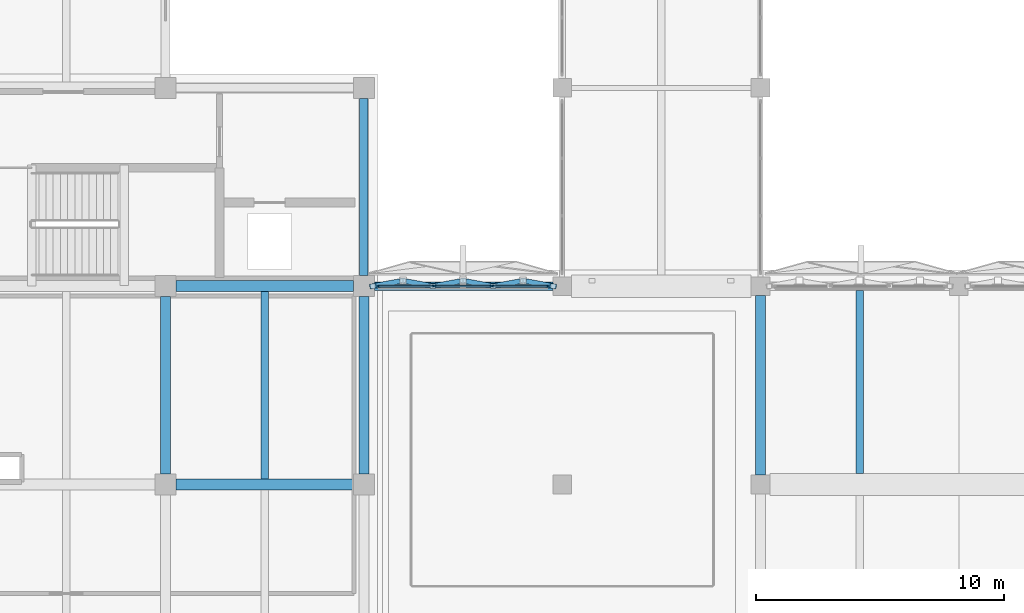
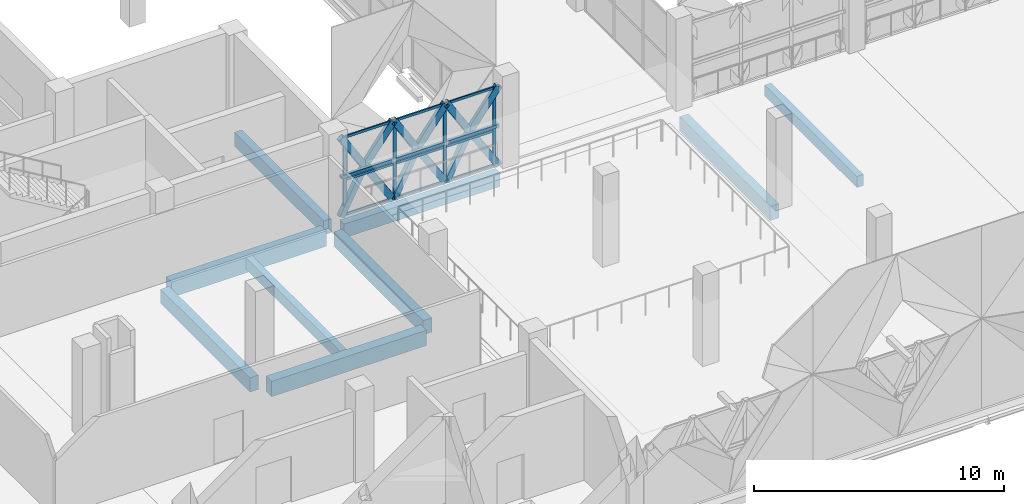
# One storey, part 7 of 53: 28 members, 9 beams, 1 element without a shape of its own.
"""IFC4 building model written with IfcOpenShell, lengths in metres."""

from ifc_helpers import new_model, si_unit, direction, frame, origin, origin_2d, place, context, subcontext, project, spatial, rectangle, hollow_rectangle, extrude, material, layer, layer_set, material_profile, profile_set, type_object, element, aggregate, save


model = new_model("IFC4")

# Units and contexts
model_context = context("Model", 3, precision=1e-05, world=origin(), true_north=direction((0.0, 1.0)))
body_context = subcontext(model_context, "Body", "Model", "MODEL_VIEW")
ifc_project = project(units=[si_unit("LENGTHUNIT", "METRE"), si_unit("AREAUNIT", "SQUARE_METRE"), si_unit("VOLUMEUNIT", "CUBIC_METRE"), si_unit("PLANEANGLEUNIT", "RADIAN"), si_unit("MASSUNIT", "GRAM", prefix="KILO")], contexts=[model_context])

# Site, building, storey
site_placement = place(None, origin())
site = spatial("IfcSite", under=ifc_project, at=site_placement, CompositionType="ELEMENT")
building_placement = place(site_placement, origin())
building = spatial("IfcBuilding", under=site, at=building_placement, Name="Qorikala Patio Media Centre", CompositionType="ELEMENT")
storey_placement = place(building_placement, frame((0.0, 0.0, 5.39990234375)))
storey = spatial("IfcBuildingStorey", under=building, at=storey_placement, Name="L01", CompositionType="ELEMENT", Elevation=5.39990234375)

# Beams
ifc_material_1 = material(Name="Concrete C35/45", Category="concrete")
ifc_material_profile_1 = material_profile(ifc_material_1, rectangle(XDim=0.39990234375, YDim=0.699951171875, at=origin_2d()), Name="RC 400x700")
ifc_profile_set_1 = profile_set([ifc_material_profile_1], Name="Concrete C35/45")
beam_type_1 = type_object("IfcBeamType", Name="BM-G400X700", PredefinedType="BEAM", material=ifc_profile_set_1)
for number, where, z_axis, x_axis, name in (
    (1, (35.0, 19.425048828125, -0.64990234375), (0.0, 1.0, 0.0), (-1.0, 0.0, 0.0), "L01 Grid X=35 Beam 0584"),
    (2, (43.0, 19.425048828125, -0.64990234375), (0.0, 1.0, 0.0), (-1.0, 0.0, 0.0), "L01 Grid X=43 Beam 0592"),
):
    element("IfcBeam", number, at=place(storey_placement, frame(where, z_axis=z_axis, x_axis=x_axis)), inside=storey, type_object=beam_type_1, Name=name, PredefinedType="BEAM", context=body_context, shape_type="SweptSolid", body=[
        extrude(rectangle(XDim=0.39990234375, YDim=0.699951171875, at=origin_2d()), origin(), (0.0, 0.0, 1.0), 7.14990234375),
    ])
beam_1_placement = place(storey_placement, frame((59.0, 19.375, -0.64990234375), z_axis=(0.0, 1.0, 0.0), x_axis=(-1.0, 0.0, 0.0)))
element("IfcBeam", 3, at=beam_1_placement, inside=storey, type_object=beam_type_1, Name="L01 Grid X=59 Beam 0607", PredefinedType="BEAM", context=body_context, shape_type="SweptSolid", body=[
    extrude(rectangle(XDim=0.39990234375, YDim=0.699951171875, at=origin_2d()), origin(), (0.0, 0.0, 1.0), 7.25),
])
ifc_material_profile_2 = material_profile(ifc_material_1, rectangle(XDim=0.449951171875, YDim=0.75, at=origin_2d()), Name="RC 450x750")
ifc_profile_set_2 = profile_set([ifc_material_profile_2], Name="Concrete C35/45")
beam_type_2 = type_object("IfcBeamType", Name="BM-G450X750", PredefinedType="BEAM", material=ifc_profile_set_2)
for number, where, z_axis, x_axis, name in (
    (4, (35.425048828125, 19.0, -0.6748046875), (1.0, 0.0, 0.0), (0.0, 1.0, 0.0), "L01 Grid 19 Beam 0443"),
    (5, (35.425048828125, 27.0, -0.6748046875), (1.0, 0.0, 0.0), (0.0, 1.0, 0.0), "L01 Grid 27 Beam 0461"),
):
    element("IfcBeam", number, at=place(storey_placement, frame(where, z_axis=z_axis, x_axis=x_axis)), inside=storey, type_object=beam_type_2, Name=name, PredefinedType="BEAM", context=body_context, shape_type="SweptSolid", body=[
        extrude(rectangle(XDim=0.449951171875, YDim=0.75, at=origin_2d()), origin(), (0.0, 0.0, 1.0), 7.14990234375),
    ])

# Members
ifc_material_2 = material(Name="Golden Bronze Coated Steel S355", Category="steel")
ifc_material_profile_3 = material_profile(ifc_material_2, hollow_rectangle(XDim=0.139892578125, YDim=0.139892578125, WallThickness=0.006103515625, at=origin_2d()), Name="HSS140X140X6")
ifc_profile_set_3 = profile_set([ifc_material_profile_3], Name="Golden Bronze Coated Steel S355")
member_type_1 = type_object("IfcMemberType", Name="BRACE-DIA140", PredefinedType="BRACE", material=ifc_profile_set_3)
member_1_placement = place(storey_placement, frame((43.360107421875, 27.0, 1.925048828125), z_axis=(1.0, 0.0, 0.0), x_axis=(0.0, 1.0, 0.0)))
element("IfcMember", 6, at=member_1_placement, inside=storey, type_object=member_type_1, Name="L01 Diamond Fold Tie 001", PredefinedType="BRACE", context=body_context, shape_type="SweptSolid", body=[
    extrude(hollow_rectangle(XDim=0.139892578125, YDim=0.139892578125, WallThickness=0.006103515625, at=origin_2d()), origin(), (0.0, 0.0, 1.0), 2.426513671875),
])
member_2_placement = place(storey_placement, frame((45.78662109375, 27.0, 1.925048828125), z_axis=(1.0, 0.0, 0.0), x_axis=(0.0, 1.0, 0.0)))
element("IfcMember", 7, at=member_2_placement, inside=storey, type_object=member_type_1, Name="L01 Diamond Fold Tie 002", PredefinedType="BRACE", context=body_context, shape_type="SweptSolid", body=[
    extrude(hollow_rectangle(XDim=0.139892578125, YDim=0.139892578125, WallThickness=0.006103515625, at=origin_2d()), origin(), (0.0, 0.0, 1.0), 2.4267578125),
])
member_3_placement = place(storey_placement, frame((48.21337890625, 27.0, 1.925048828125), z_axis=(1.0, 0.0, 0.0), x_axis=(0.0, 1.0, 0.0)))
element("IfcMember", 8, at=member_3_placement, inside=storey, type_object=member_type_1, Name="L01 Diamond Fold Tie 003", PredefinedType="BRACE", context=body_context, shape_type="SweptSolid", body=[
    extrude(hollow_rectangle(XDim=0.139892578125, YDim=0.139892578125, WallThickness=0.006103515625, at=origin_2d()), origin(), (0.0, 0.0, 1.0), 2.426513671875),
])

# Curtain wall, members
ifc_material_3 = material(Name="Golden Bronze Anodised Aluminium and Low-E Glass", Category="aluminium")
ifc_layer = layer(ifc_material_3, 0.159912109375)
ifc_layer_set = layer_set([ifc_layer], Name="Golden Bronze Anodised Aluminium and Low-E Glass")
curtain_wall_type = type_object("IfcCurtainWallType", Name="CW-DIA-696X385", PredefinedType="USERDEFINED", material=ifc_layer_set)
curtain_wall_placement = place(storey_placement, origin())
curtain_wall = element("IfcCurtainWall", 9, at=curtain_wall_placement, inside=storey, type_object=curtain_wall_type, Name="L01 Courtyard Curtain Wall 015", ObjectType="COURTYARD CURTAIN WALL", PredefinedType="USERDEFINED")
ifc_material_4 = material(Name="Golden Bronze Anodised Aluminium", Category="aluminium")
ifc_material_profile_4 = material_profile(ifc_material_4, rectangle(XDim=0.06494140625, YDim=0.14990234375, at=origin_2d()), Name="ALU MULLION 65x150")
ifc_profile_set_4 = profile_set([ifc_material_profile_4], Name="Golden Bronze Anodised Aluminium")
member_type_2 = type_object("IfcMemberType", Name="CWM-65X150", PredefinedType="MULLION", material=ifc_profile_set_4)
member_4_placement = place(storey_placement, frame((43.552490234375, 27.0, 0.0), z_axis=(0.0, 0.0, 1.0), x_axis=(0.0, 1.0, 0.0)))
member_4 = element("IfcMember", 10, at=member_4_placement, type_object=member_type_2, Name="CWD696385 mullion 1", PredefinedType="MULLION", context=body_context, shape_type="SweptSolid", body=[
    extrude(rectangle(XDim=0.06494140625, YDim=0.14990234375, at=origin_2d()), origin(), (0.0, 0.0, 1.0), 3.85009765625),
])
member_5_placement = place(storey_placement, frame((45.840087890625, 27.0, 0.0), z_axis=(0.0, 0.0, 1.0), x_axis=(0.0, 1.0, 0.0)))
member_5 = element("IfcMember", 11, at=member_5_placement, type_object=member_type_2, Name="CWD696385 mullion 2", PredefinedType="MULLION", context=body_context, shape_type="SweptSolid", body=[
    extrude(rectangle(XDim=0.06494140625, YDim=0.14990234375, at=origin_2d()), origin(), (0.0, 0.0, 1.0), 3.85009765625),
])
member_6_placement = place(storey_placement, frame((48.159912109375, 27.0, 0.0), z_axis=(0.0, 0.0, 1.0), x_axis=(0.0, 1.0, 0.0)))
member_6 = element("IfcMember", 12, at=member_6_placement, type_object=member_type_2, Name="CWD696385 mullion 3", PredefinedType="MULLION", context=body_context, shape_type="SweptSolid", body=[
    extrude(rectangle(XDim=0.06494140625, YDim=0.14990234375, at=origin_2d()), origin(), (0.0, 0.0, 1.0), 3.85009765625),
])
member_7_placement = place(storey_placement, frame((50.447509765625, 27.0, 0.0), z_axis=(0.0, 0.0, 1.0), x_axis=(0.0, 1.0, 0.0)))
member_7 = element("IfcMember", 13, at=member_7_placement, type_object=member_type_2, Name="CWD696385 mullion 4", PredefinedType="MULLION", context=body_context, shape_type="SweptSolid", body=[
    extrude(rectangle(XDim=0.06494140625, YDim=0.14990234375, at=origin_2d()), origin(), (0.0, 0.0, 1.0), 3.85009765625),
])
ifc_material_profile_5 = material_profile(ifc_material_4, rectangle(XDim=0.06494140625, YDim=0.1201171875, at=origin_2d()), Name="ALU TRANSOM 65x120")
ifc_profile_set_5 = profile_set([ifc_material_profile_5], Name="Golden Bronze Anodised Aluminium")
member_type_3 = type_object("IfcMemberType", Name="CWT-65X120", PredefinedType="USERDEFINED", material=ifc_profile_set_5)
member_8_placement = place(storey_placement, frame((43.5849609375, 27.0, 0.03271484375), z_axis=(1.0, 0.0, 0.0), x_axis=(0.0, 1.0, 0.0)))
member_8 = element("IfcMember", 14, at=member_8_placement, type_object=member_type_3, Name="CWD696385 transom 1.1", ObjectType="TRANSOM", PredefinedType="USERDEFINED", context=body_context, shape_type="SweptSolid", body=[
    extrude(rectangle(XDim=0.06494140625, YDim=0.1201171875, at=origin_2d()), origin(), (0.0, 0.0, 1.0), 2.22265625),
])
member_9_placement = place(storey_placement, frame((43.5849609375, 27.0, 1.732666015625), z_axis=(1.0, 0.0, 0.0), x_axis=(0.0, 1.0, 0.0)))
member_9 = element("IfcMember", 15, at=member_9_placement, type_object=member_type_3, Name="CWD696385 transom 1.2", ObjectType="TRANSOM", PredefinedType="USERDEFINED", context=body_context, shape_type="SweptSolid", body=[
    extrude(rectangle(XDim=0.06494140625, YDim=0.1201171875, at=origin_2d()), origin(), (0.0, 0.0, 1.0), 2.22265625),
])
member_10_placement = place(storey_placement, frame((43.5849609375, 27.0, 3.817626953125), z_axis=(1.0, 0.0, 0.0), x_axis=(0.0, 1.0, 0.0)))
member_10 = element("IfcMember", 16, at=member_10_placement, type_object=member_type_3, Name="CWD696385 transom 1.3", ObjectType="TRANSOM", PredefinedType="USERDEFINED", context=body_context, shape_type="SweptSolid", body=[
    extrude(rectangle(XDim=0.06494140625, YDim=0.1201171875, at=origin_2d()), origin(), (0.0, 0.0, 1.0), 2.22265625),
])
member_11_placement = place(storey_placement, frame((45.87255859375, 27.0, 0.03271484375), z_axis=(1.0, 0.0, 0.0), x_axis=(0.0, 1.0, 0.0)))
member_11 = element("IfcMember", 17, at=member_11_placement, type_object=member_type_3, Name="CWD696385 transom 2.1", ObjectType="TRANSOM", PredefinedType="USERDEFINED", context=body_context, shape_type="SweptSolid", body=[
    extrude(rectangle(XDim=0.06494140625, YDim=0.1201171875, at=origin_2d()), origin(), (0.0, 0.0, 1.0), 2.2548828125),
])
member_12_placement = place(storey_placement, frame((45.87255859375, 27.0, 1.732666015625), z_axis=(1.0, 0.0, 0.0), x_axis=(0.0, 1.0, 0.0)))
member_12 = element("IfcMember", 18, at=member_12_placement, type_object=member_type_3, Name="CWD696385 transom 2.2", ObjectType="TRANSOM", PredefinedType="USERDEFINED", context=body_context, shape_type="SweptSolid", body=[
    extrude(rectangle(XDim=0.06494140625, YDim=0.1201171875, at=origin_2d()), origin(), (0.0, 0.0, 1.0), 2.2548828125),
])
member_13_placement = place(storey_placement, frame((45.87255859375, 27.0, 3.817626953125), z_axis=(1.0, 0.0, 0.0), x_axis=(0.0, 1.0, 0.0)))
member_13 = element("IfcMember", 19, at=member_13_placement, type_object=member_type_3, Name="CWD696385 transom 2.3", ObjectType="TRANSOM", PredefinedType="USERDEFINED", context=body_context, shape_type="SweptSolid", body=[
    extrude(rectangle(XDim=0.06494140625, YDim=0.1201171875, at=origin_2d()), origin(), (0.0, 0.0, 1.0), 2.2548828125),
])
member_14_placement = place(storey_placement, frame((48.1923828125, 27.0, 0.03271484375), z_axis=(1.0, 0.0, 0.0), x_axis=(0.0, 1.0, 0.0)))
member_14 = element("IfcMember", 20, at=member_14_placement, type_object=member_type_3, Name="CWD696385 transom 3.1", ObjectType="TRANSOM", PredefinedType="USERDEFINED", context=body_context, shape_type="SweptSolid", body=[
    extrude(rectangle(XDim=0.06494140625, YDim=0.1201171875, at=origin_2d()), origin(), (0.0, 0.0, 1.0), 2.22265625),
])
member_15_placement = place(storey_placement, frame((48.1923828125, 27.0, 1.732666015625), z_axis=(1.0, 0.0, 0.0), x_axis=(0.0, 1.0, 0.0)))
member_15 = element("IfcMember", 21, at=member_15_placement, type_object=member_type_3, Name="CWD696385 transom 3.2", ObjectType="TRANSOM", PredefinedType="USERDEFINED", context=body_context, shape_type="SweptSolid", body=[
    extrude(rectangle(XDim=0.06494140625, YDim=0.1201171875, at=origin_2d()), origin(), (0.0, 0.0, 1.0), 2.22265625),
])
member_16_placement = place(storey_placement, frame((48.1923828125, 27.0, 3.817626953125), z_axis=(1.0, 0.0, 0.0), x_axis=(0.0, 1.0, 0.0)))
member_16 = element("IfcMember", 22, at=member_16_placement, type_object=member_type_3, Name="CWD696385 transom 3.3", ObjectType="TRANSOM", PredefinedType="USERDEFINED", context=body_context, shape_type="SweptSolid", body=[
    extrude(rectangle(XDim=0.06494140625, YDim=0.1201171875, at=origin_2d()), origin(), (0.0, 0.0, 1.0), 2.22265625),
])
aggregate(curtain_wall, [member_4, member_5, member_6, member_7, member_8, member_9, member_10, member_11, member_12, member_13, member_14, member_15, member_16])

# Beams
ifc_material_profile_6 = material_profile(ifc_material_1, rectangle(XDim=0.300048828125, YDim=0.550048828125, at=origin_2d()), Name="RC 300x550")
ifc_profile_set_6 = profile_set([ifc_material_profile_6], Name="Concrete C35/45")
beam_type_3 = type_object("IfcBeamType", Name="JS-300X550", PredefinedType="JOIST", material=ifc_profile_set_6)
beam_2_placement = place(storey_placement, frame((39.0, 19.22509765625, -0.574951171875), z_axis=(0.0, 1.0, 0.0), x_axis=(-1.0, 0.0, 0.0)))
element("IfcBeam", 23, at=beam_2_placement, inside=storey, type_object=beam_type_3, Name="L01 Secondary Joist 0700", PredefinedType="JOIST", context=body_context, shape_type="SweptSolid", body=[
    extrude(rectangle(XDim=0.300048828125, YDim=0.550048828125, at=origin_2d()), origin(), (0.0, 0.0, 1.0), 7.5498046875),
])
beam_3_placement = place(storey_placement, frame((63.0, 19.449951171875, -0.574951171875), z_axis=(0.0, 1.0, 0.0), x_axis=(-1.0, 0.0, 0.0)))
element("IfcBeam", 24, at=beam_3_placement, inside=storey, type_object=beam_type_3, Name="L01 Secondary Joist 0713", PredefinedType="JOIST", context=body_context, shape_type="SweptSolid", body=[
    extrude(rectangle(XDim=0.300048828125, YDim=0.550048828125, at=origin_2d()), origin(), (0.0, 0.0, 1.0), 7.375),
])
ifc_material_profile_7 = material_profile(ifc_material_1, rectangle(XDim=0.35009765625, YDim=0.679931640625, at=origin_2d()), Name="RC 350x680")
ifc_profile_set_7 = profile_set([ifc_material_profile_7], Name="Concrete C35/45")
beam_type_4 = type_object("IfcBeamType", Name="SP-350X680", PredefinedType="SPANDREL", material=ifc_profile_set_7)
beam_4_placement = place(storey_placement, frame((43.425048828125, 27.0, -0.639892578125), z_axis=(1.0, 0.0, 0.0), x_axis=(0.0, 1.0, 0.0)))
element("IfcBeam", 25, at=beam_4_placement, inside=storey, type_object=beam_type_4, Name="L01 Grid 27 Beam 0462", PredefinedType="SPANDREL", context=body_context, shape_type="SweptSolid", body=[
    extrude(rectangle(XDim=0.35009765625, YDim=0.679931640625, at=origin_2d()), origin(), (0.0, 0.0, 1.0), 7.199951171875),
])
beam_5_placement = place(storey_placement, frame((43.0, 27.425048828125, -0.639892578125), z_axis=(0.0, 1.0, 0.0), x_axis=(-1.0, 0.0, 0.0)))
element("IfcBeam", 26, at=beam_5_placement, inside=storey, type_object=beam_type_4, Name="L01 Grid X=43 Beam 0593", PredefinedType="SPANDREL", context=body_context, shape_type="SweptSolid", body=[
    extrude(rectangle(XDim=0.35009765625, YDim=0.679931640625, at=origin_2d()), origin(), (0.0, 0.0, 1.0), 7.14990234375),
])

# Members
ifc_material_profile_8 = material_profile(ifc_material_2, hollow_rectangle(XDim=0.199951171875, YDim=0.300048828125, WallThickness=0.011962890625, at=origin_2d()), Name="HSS300X200X12")
ifc_profile_set_8 = profile_set([ifc_material_profile_8], Name="Golden Bronze Coated Steel S355")
member_type_4 = type_object("IfcMemberType", Name="STRUT-DIA300", PredefinedType="STRUT", material=ifc_profile_set_8)
member_17_placement = place(storey_placement, frame((43.360107421875, 27.0, 0.0), z_axis=(0.530691378365, 0.095906793675, 0.842121456713), x_axis=(-0.17783968734, 0.984059472596, 0.0)))
element("IfcMember", 27, at=member_17_placement, inside=storey, type_object=member_type_4, Name="L01 Diamond Foyer Fold Strut 001-DL1", PredefinedType="STRUT", context=body_context, shape_type="SweptSolid", body=[
    extrude(hollow_rectangle(XDim=0.199951171875, YDim=0.300048828125, WallThickness=0.011962890625, at=origin_2d()), origin(), (0.0, 0.0, 1.0), 2.285888671875),
])
member_18_placement = place(storey_placement, frame((45.78662109375, 27.0, 0.0), z_axis=(-0.530768093717, 0.095901357778, 0.842073726148), x_axis=(-0.177805036072, -0.98406573416, 0.0)))
element("IfcMember", 28, at=member_18_placement, inside=storey, type_object=member_type_4, Name="L01 Diamond Foyer Fold Strut 001-DL2", PredefinedType="STRUT", context=body_context, shape_type="SweptSolid", body=[
    extrude(hollow_rectangle(XDim=0.199951171875, YDim=0.300048828125, WallThickness=0.011962890625, at=origin_2d()), origin(), (0.0, 0.0, 1.0), 2.2861328125),
])
member_19_placement = place(storey_placement, frame((44.5732421875, 27.21923828125, 1.925048828125), z_axis=(-0.530691378365, -0.095906793675, 0.842121456713), x_axis=(0.17783968734, -0.984059472596, 0.0)))
element("IfcMember", 29, at=member_19_placement, inside=storey, type_object=member_type_4, Name="L01 Diamond Foyer Fold Strut 001-DU1", PredefinedType="STRUT", context=body_context, shape_type="SweptSolid", body=[
    extrude(hollow_rectangle(XDim=0.199951171875, YDim=0.300048828125, WallThickness=0.011962890625, at=origin_2d()), origin(), (0.0, 0.0, 1.0), 2.285888671875),
])
for number, where, z_axis, x_axis, name in (
    (30, (44.5732421875, 27.21923828125, 1.925048828125), (0.530768093717, -0.095901357778, 0.842073726148), (0.177805036072, 0.98406573416, 0.0), "L01 Diamond Foyer Fold Strut 001-DU2"),
    (31, (45.78662109375, 27.0, 0.0), (0.530768093717, 0.095901357778, 0.842073726148), (-0.177805036072, 0.98406573416, 0.0), "L01 Diamond Foyer Fold Strut 002-DL1"),
    (32, (48.21337890625, 27.0, 0.0), (-0.530768093717, 0.095901357778, 0.842073726148), (-0.177805036072, -0.98406573416, 0.0), "L01 Diamond Foyer Fold Strut 002-DL2"),
    (33, (47.0, 27.21923828125, 1.925048828125), (-0.530768093717, -0.095901357778, 0.842073726148), (0.177805036072, -0.98406573416, 0.0), "L01 Diamond Foyer Fold Strut 002-DU1"),
    (34, (47.0, 27.21923828125, 1.925048828125), (0.530768093717, -0.095901357778, 0.842073726148), (0.177805036072, 0.98406573416, 0.0), "L01 Diamond Foyer Fold Strut 002-DU2"),
    (35, (48.21337890625, 27.0, 0.0), (0.530768093717, 0.095901357778, 0.842073726148), (-0.177805036072, 0.98406573416, 0.0), "L01 Diamond Foyer Fold Strut 003-DL1"),
):
    element("IfcMember", number, at=place(storey_placement, frame(where, z_axis=z_axis, x_axis=x_axis)), inside=storey, type_object=member_type_4, Name=name, PredefinedType="STRUT", context=body_context, shape_type="SweptSolid", body=[
        extrude(hollow_rectangle(XDim=0.199951171875, YDim=0.300048828125, WallThickness=0.011962890625, at=origin_2d()), origin(), (0.0, 0.0, 1.0), 2.2861328125),
    ])
member_20_placement = place(storey_placement, frame((50.639892578125, 27.0, 0.0), z_axis=(-0.530691378365, 0.095906793675, 0.842121456713), x_axis=(-0.17783968734, -0.984059472596, 0.0)))
element("IfcMember", 36, at=member_20_placement, inside=storey, type_object=member_type_4, Name="L01 Diamond Foyer Fold Strut 003-DL2", PredefinedType="STRUT", context=body_context, shape_type="SweptSolid", body=[
    extrude(hollow_rectangle(XDim=0.199951171875, YDim=0.300048828125, WallThickness=0.011962890625, at=origin_2d()), origin(), (0.0, 0.0, 1.0), 2.285888671875),
])
member_21_placement = place(storey_placement, frame((49.4267578125, 27.21923828125, 1.925048828125), z_axis=(-0.530768093717, -0.095901357778, 0.842073726148), x_axis=(0.177805036072, -0.98406573416, 0.0)))
element("IfcMember", 37, at=member_21_placement, inside=storey, type_object=member_type_4, Name="L01 Diamond Foyer Fold Strut 003-DU1", PredefinedType="STRUT", context=body_context, shape_type="SweptSolid", body=[
    extrude(hollow_rectangle(XDim=0.199951171875, YDim=0.300048828125, WallThickness=0.011962890625, at=origin_2d()), origin(), (0.0, 0.0, 1.0), 2.2861328125),
])
member_22_placement = place(storey_placement, frame((49.4267578125, 27.21923828125, 1.925048828125), z_axis=(0.530691378365, -0.095906793675, 0.842121456713), x_axis=(0.17783968734, 0.984059472596, 0.0)))
element("IfcMember", 38, at=member_22_placement, inside=storey, type_object=member_type_4, Name="L01 Diamond Foyer Fold Strut 003-DU2", PredefinedType="STRUT", context=body_context, shape_type="SweptSolid", body=[
    extrude(hollow_rectangle(XDim=0.199951171875, YDim=0.300048828125, WallThickness=0.011962890625, at=origin_2d()), origin(), (0.0, 0.0, 1.0), 2.285888671875),
])

save(model, "model.ifc")
